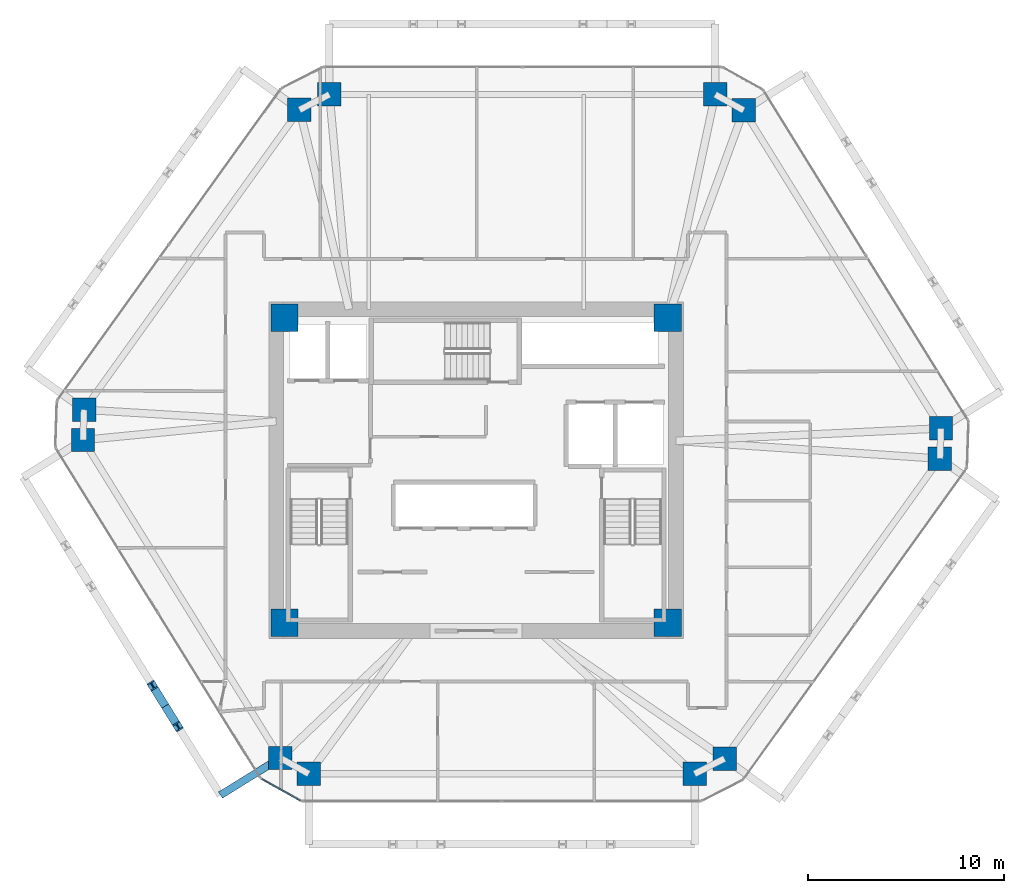
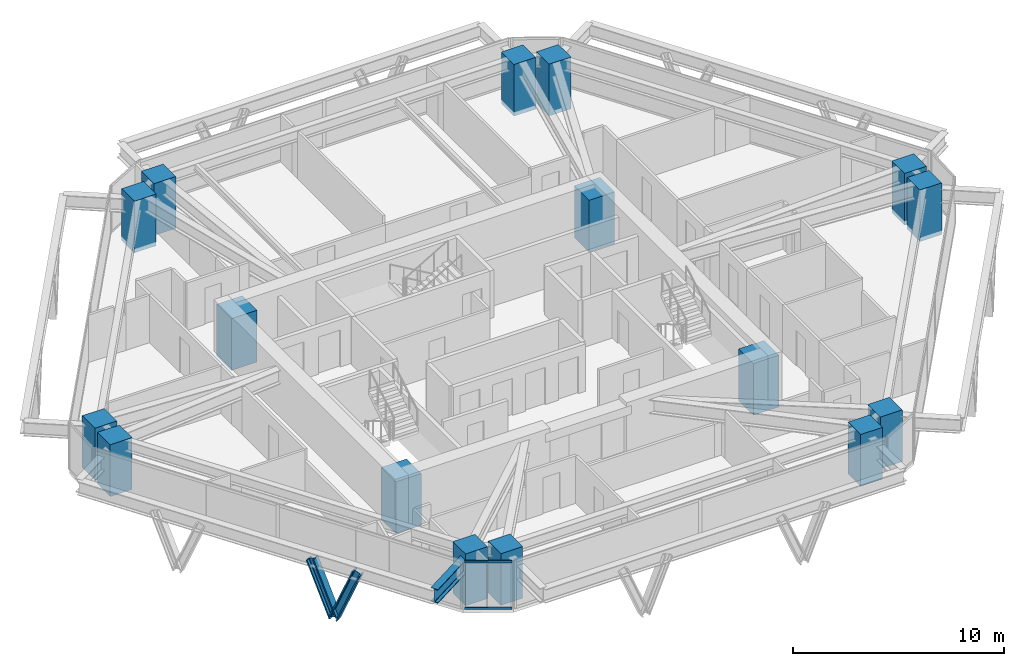
# One storey, part 1 of 14: 16 columns, 4 members, 1 beam, 1 element without a shape of its own.
"""IFC4 building model written with IfcOpenShell, lengths in metres."""

import ifcopenshell
import ifcopenshell.guid

model = None  # the IFC model being written
_history = None  # IfcOwnerHistory: only IFC2X3 demands one
_inside = {}  # id of a spatial element -> (the spatial element, [elements in it])
_under = {}  # id of a project, library or spatial element -> (it, [spatial elements below it])
_declared = {}  # id of a project -> (the project, [libraries it declares])
_typed = {}  # id of a type object -> (the type object, [elements of that type])
_made_of = {}  # id of a material, layer set ... -> (it, [elements and type objects made of it])


def new_model(schema):
    """Start an empty IFC model of exactly this schema.

    Asked for "IFC4X3", IfcOpenShell would pick the latest addendum, in which some entities
    have other attributes; the version numbers below select the first issue.
    IFC2X3 requires an IfcOwnerHistory on every rooted entity: one is made here for all.
    """
    global model, _history
    if schema == "IFC4X3":
        model = ifcopenshell.file(schema_version=(4, 3, 0, 0))
    else:
        model = ifcopenshell.file(schema=schema)
    _inside.clear()
    _under.clear()
    _declared.clear()
    _typed.clear()
    _made_of.clear()
    _history = None
    if model.schema == "IFC2X3":
        org = make("IfcOrganization", Name="unknown")
        user = make(
            "IfcPersonAndOrganization",
            ThePerson=make("IfcPerson", FamilyName="unknown"),
            TheOrganization=org,
        )
        app = make(
            "IfcApplication",
            ApplicationDeveloper=org,
            Version="unknown",
            ApplicationFullName="unknown",
            ApplicationIdentifier="unknown",
        )
        _history = make(
            "IfcOwnerHistory",
            OwningUser=user,
            OwningApplication=app,
            ChangeAction="ADDED",
            CreationDate=0,
        )
    return model


def make(cls, **values):
    """One entity of the class cls with the attributes given. An attribute that is None is left unset."""
    return model.create_entity(
        cls, **{name: value for name, value in values.items() if value is not None}
    )


def rooted(cls, **values):
    """An entity with a GlobalId (a new one), such as an element, a storey or a relation."""
    return make(cls, GlobalId=ifcopenshell.guid.new(), OwnerHistory=_history, **values)


def si_unit(unit_type, name, prefix=None):
    """IfcSIUnit, for example si_unit("LENGTHUNIT", "METRE", prefix="MILLI")."""
    return make("IfcSIUnit", UnitType=unit_type, Prefix=prefix, Name=name)


def assignment(units):
    """IfcUnitAssignment: the units of a project."""
    return None if units is None else make("IfcUnitAssignment", Units=units)


def point(xyz):
    """IfcCartesianPoint."""
    return None if xyz is None else make("IfcCartesianPoint", Coordinates=xyz)


def direction(xyz):
    """IfcDirection."""
    return None if xyz is None else make("IfcDirection", DirectionRatios=xyz)


def frame(location, z_axis=None, x_axis=None):
    """IfcAxis2Placement3D, a coordinate frame: its origin and axes. An axis left out is left unset."""
    return make(
        "IfcAxis2Placement3D",
        Location=point(location),
        Axis=direction(z_axis),
        RefDirection=direction(x_axis),
    )


def frame_2d(location, x_axis=None):
    """IfcAxis2Placement2D, a coordinate frame in the plane: its origin and x axis."""
    return make(
        "IfcAxis2Placement2D", Location=point(location), RefDirection=direction(x_axis)
    )


def origin():
    """The frame at (0, 0, 0) with its axes left unset."""
    return frame((0.0, 0.0, 0.0))


def origin_2d():
    """The frame at (0, 0) in the plane with its x axis left unset."""
    return frame_2d((0.0, 0.0))


def place(relative_to, where):
    """IfcLocalPlacement: puts the frame where relative to a parent placement (None: the world)."""
    return make(
        "IfcLocalPlacement", PlacementRelTo=relative_to, RelativePlacement=where
    )


def context(
    kind, dimensions, precision=None, world=None, true_north=None, identifier=None
):
    """IfcGeometricRepresentationContext, for example the 3D "Model" context."""
    return make(
        "IfcGeometricRepresentationContext",
        ContextIdentifier=identifier,
        ContextType=kind,
        CoordinateSpaceDimension=dimensions,
        Precision=precision,
        WorldCoordinateSystem=world,
        TrueNorth=true_north,
    )


def subcontext(parent, identifier, kind, view, scale=None):
    """IfcGeometricRepresentationSubContext, for example "Body" below "Model"."""
    return make(
        "IfcGeometricRepresentationSubContext",
        ContextIdentifier=identifier,
        ContextType=kind,
        ParentContext=parent,
        TargetScale=scale,
        TargetView=view,
    )


def project(units=None, contexts=None):
    """IfcProject with its units and contexts."""
    return rooted(
        "IfcProject",
        Name="project",
        RepresentationContexts=contexts,
        UnitsInContext=assignment(units),
    )


def spatial(cls, under=None, at=None, **own):
    """A site, building, storey or space (cls), placed at a placement, below another one or the project."""
    s = rooted(cls, ObjectPlacement=at, **own)
    if under is not None:
        _under.setdefault(under.id(), (under, []))[1].append(s)
    return s


def profile(cls, at=None, kind="AREA", **sizes):
    """A parametric profile (cls). Its sizes go by their IFC names, for example OverallWidth=200.0."""
    return make(cls, ProfileType=kind, Position=at, **sizes)


def rectangle(**sizes):
    """IfcRectangleProfileDef."""
    return profile("IfcRectangleProfileDef", **sizes)


def i_section(**sizes):
    """IfcIShapeProfileDef."""
    return profile("IfcIShapeProfileDef", **sizes)


def extrude(swept, where, along, depth):
    """IfcExtrudedAreaSolid: the profile swept, set in the frame where, extruded along a direction by depth."""
    return make(
        "IfcExtrudedAreaSolid",
        SweptArea=swept,
        Position=where,
        ExtrudedDirection=direction(along),
        Depth=depth,
    )


def shape(context_of_items, identifier, shape_type, items):
    """IfcShapeRepresentation: the items that make up one representation, for example the "Body"."""
    return make(
        "IfcShapeRepresentation",
        ContextOfItems=context_of_items,
        RepresentationIdentifier=identifier,
        RepresentationType=shape_type,
        Items=items,
    )


def source(mapping_origin, context_of_items, identifier, shape_type, items):
    """IfcRepresentationMap: a shape defined once, which mapped items show again and again."""
    return make(
        "IfcRepresentationMap",
        MappingOrigin=mapping_origin,
        MappedRepresentation=shape(context_of_items, identifier, shape_type, items),
    )


def transform(
    local_origin,
    x_axis=None,
    y_axis=None,
    z_axis=None,
    scale=None,
    scale2=None,
    scale3=None,
    uniform=True,
):
    """IfcCartesianTransformationOperator3D, or its non-uniform kind. x_axis, y_axis, z_axis: its Axis1, 2, 3."""
    if uniform:
        return make(
            "IfcCartesianTransformationOperator3D",
            Axis1=direction(x_axis),
            Axis2=direction(y_axis),
            LocalOrigin=point(local_origin),
            Scale=scale,
            Axis3=direction(z_axis),
        )
    return make(
        "IfcCartesianTransformationOperator3DnonUniform",
        Axis1=direction(x_axis),
        Axis2=direction(y_axis),
        LocalOrigin=point(local_origin),
        Scale=scale,
        Axis3=direction(z_axis),
        Scale2=scale2,
        Scale3=scale3,
    )


def mapped(mapping_source, mapping_target):
    """IfcMappedItem: shows the shape of a source again, moved by a transform."""
    return make(
        "IfcMappedItem", MappingSource=mapping_source, MappingTarget=mapping_target
    )


def material(Name=None, Category=None):
    """IfcMaterial."""
    return make("IfcMaterial", Name=Name, Category=Category)


def layer(
    of_material, thickness, ventilated=None, Name=None, Category=None, Priority=None
):
    """IfcMaterialLayer: one layer of a wall or slab, of a material (None: an air gap)."""
    return make(
        "IfcMaterialLayer",
        Material=of_material,
        LayerThickness=thickness,
        IsVentilated=ventilated,
        Name=Name,
        Category=Category,
        Priority=Priority,
    )


def layer_set(layers, Name=None):
    """IfcMaterialLayerSet."""
    return make("IfcMaterialLayerSet", MaterialLayers=layers, LayerSetName=Name)


def material_profile(
    of_material, cross_section, Name=None, Category=None, Priority=None
):
    """IfcMaterialProfile: a cross section and its material."""
    return make(
        "IfcMaterialProfile",
        Name=Name,
        Material=of_material,
        Profile=cross_section,
        Priority=Priority,
        Category=Category,
    )


def profile_set(profiles, Name=None, composite=None):
    """IfcMaterialProfileSet."""
    return make(
        "IfcMaterialProfileSet",
        Name=Name,
        MaterialProfiles=profiles,
        CompositeProfile=composite,
    )


def made_of(thing, what):
    """Note that an element or type object is made of a material, layer set ...; save() writes the relation."""
    if what is not None:
        _made_of.setdefault(what.id(), (what, []))[1].append(thing)
    return thing


def type_object(cls, material=None, **own):
    """A type object (cls), such as IfcWallType, which elements share."""
    return made_of(rooted(cls, **own), material)


def type_shapes(of_type, sources):
    """Give a type object the sources (RepresentationMaps) that its elements show as mapped items."""
    of_type.RepresentationMaps = sources


def element(
    cls,
    number,
    at=None,
    inside=None,
    cuts=None,
    type_object=None,
    material=None,
    context=None,
    identifier="Body",
    shape_type=None,
    held_by="IfcProductDefinitionShape",
    body=None,
    shapes=None,
    **own,
):
    """One element of the class cls, such as IfcWall. Its Tag is "e" and its number.

    at: its placement. inside: the storey or other place that contains it. cuts: it is an
    opening in that element (IfcRelVoidsElement). A single representation is given by context,
    identifier, shape_type and body (its items); several are given by shapes. held_by: the class
    of the entity that holds the representations. save() writes the other relations.
    """
    e = rooted(cls, Tag="e%d" % number, ObjectPlacement=at, **own)
    if body is not None:
        shapes = [shape(context, identifier, shape_type, body)]
    if shapes is not None:
        e.Representation = make(held_by, Representations=shapes)
    if inside is not None:
        _inside.setdefault(inside.id(), (inside, []))[1].append(e)
    if cuts is not None:
        rooted(
            "IfcRelVoidsElement", RelatingBuildingElement=cuts, RelatedOpeningElement=e
        )
    if type_object is not None:
        _typed.setdefault(type_object.id(), (type_object, []))[1].append(e)
    return made_of(e, material)


def aggregate(whole, parts):
    """IfcRelAggregates: a whole, such as a stair, and the parts it consists of."""
    return rooted("IfcRelAggregates", RelatingObject=whole, RelatedObjects=parts)


def save(model, path):
    """Write the relations noted so far, then the file.

    IfcRelAggregates (storeys below a building ...), IfcRelContainedInSpatialStructure (elements
    in a storey), IfcRelDefinesByType, IfcRelAssociatesMaterial and IfcRelDeclares: one each for
    every whole, place, type object, material and project.
    """
    for whole, parts in _under.values():
        aggregate(whole, parts)
    for where, things in _inside.values():
        rooted(
            "IfcRelContainedInSpatialStructure",
            RelatedElements=things,
            RelatingStructure=where,
        )
    for kind, things in _typed.values():
        rooted("IfcRelDefinesByType", RelatedObjects=things, RelatingType=kind)
    for what, things in _made_of.values():
        rooted("IfcRelAssociatesMaterial", RelatedObjects=things, RelatingMaterial=what)
    for by, libraries in _declared.values():
        rooted("IfcRelDeclares", RelatingContext=by, RelatedDefinitions=libraries)
    model.write(path)


model = new_model("IFC4")

# Units and contexts
model_context = context("Model", 3, precision=1e-05, world=origin(), true_north=direction((0.0, 1.0)))
body_context = subcontext(model_context, "Body", "Model", "MODEL_VIEW")
ifc_project = project(units=[si_unit("LENGTHUNIT", "METRE"), si_unit("AREAUNIT", "SQUARE_METRE"), si_unit("VOLUMEUNIT", "CUBIC_METRE"), si_unit("PLANEANGLEUNIT", "RADIAN"), si_unit("MASSUNIT", "GRAM", prefix="KILO")], contexts=[model_context])

# Site, building, storey
site_placement = place(None, origin())
site = spatial("IfcSite", under=ifc_project, at=site_placement, CompositionType="ELEMENT")
building_placement = place(site_placement, origin())
building = spatial("IfcBuilding", under=site, at=building_placement, Name="Durnholm Broadcast Tower", CompositionType="ELEMENT")
storey_placement = place(building_placement, frame((0.0, 0.0, 140.10009765625)))
storey = spatial("IfcBuildingStorey", under=building, at=storey_placement, Name="L38", CompositionType="ELEMENT", Elevation=140.10009765625)

# Columns
ifc_material_1 = material(Name="Concrete C70/85", Category="concrete")
ifc_material_profile_1 = material_profile(ifc_material_1, rectangle(XDim=1.39990234375, YDim=1.39990234375, at=origin_2d()), Name="RC1400X1400")
ifc_profile_set_1 = profile_set([ifc_material_profile_1], Name="Concrete C70/85")
column_type_1 = type_object("IfcColumnType", Name="COL-CC-1400", PredefinedType="COLUMN", material=ifc_profile_set_1)
shared_shape_1 = source(origin(), body_context, "Body", "SweptSolid", [
    extrude(rectangle(XDim=1.39990234375, YDim=1.39990234375, at=origin_2d()), origin(), (0.0, 0.0, 1.0), 3.0),
])
type_shapes(column_type_1, [shared_shape_1])
for number, where, z_axis, x_axis, name in (
    (1, (-9.800048828125, -7.800048828125, -0.239990234375), (0.0, 0.0, 1.0), (1.0, 0.0, 0.0), "L38 core corner column 1"),
    (2, (9.800048828125, -7.800048828125, -0.239990234375), (0.0, 0.0, 1.0), (1.0, 0.0, 0.0), "L38 core corner column 2"),
    (3, (9.800048828125, 7.800048828125, -0.239990234375), (0.0, 0.0, 1.0), (1.0, 0.0, 0.0), "L38 core corner column 3"),
    (4, (-9.800048828125, 7.800048828125, -0.239990234375), (0.0, 0.0, 1.0), (1.0, 0.0, 0.0), "L38 core corner column 4"),
):
    element("IfcColumn", number, at=place(storey_placement, frame(where, z_axis=z_axis, x_axis=x_axis)), inside=storey, type_object=column_type_1, Name=name, PredefinedType="COLUMN", context=body_context, shape_type="MappedRepresentation", body=[
        mapped(shared_shape_1, transform((0.0, 0.0, 0.0), x_axis=(1.0, 0.0, 0.0), y_axis=(0.0, 1.0, 0.0), z_axis=(0.0, 0.0, 1.0), scale=1.0)),
    ])
ifc_material_profile_2 = material_profile(ifc_material_1, rectangle(XDim=1.199951171875, YDim=1.199951171875, at=origin_2d()), Name="RC1200X1200")
ifc_profile_set_2 = profile_set([ifc_material_profile_2], Name="Concrete C70/85")
column_type_2 = type_object("IfcColumnType", Name="COL-CC-1200", PredefinedType="COLUMN", material=ifc_profile_set_2)
shared_shape_2 = source(origin(), body_context, "Body", "SweptSolid", [
    extrude(rectangle(XDim=1.199951171875, YDim=1.199951171875, at=origin_2d()), origin(), (0.0, 0.0, 1.0), 3.0),
])
type_shapes(column_type_2, [shared_shape_2])
for number, where, z_axis, x_axis, name in (
    (5, (-10.01416015625, -14.723388671875, -0.239990234375), (0.0, 0.0, 1.0), (1.0, 0.0, 0.0), "L38 perimeter hexagonal tube column 01"),
    (6, (-20.102783203125, 1.54150390625, -0.239990234375), (0.0, 0.0, 1.0), (1.0, 0.0, 0.0), "L38 perimeter hexagonal tube column 02"),
    (7, (-20.050048828125, 3.091064453125, -0.239990234375), (0.0, 0.0, 1.0), (1.0, 0.0, 0.0), "L38 perimeter hexagonal tube column 03"),
    (8, (-9.031982421875, 18.42822265625, -0.239990234375), (0.0, 0.0, 1.0), (1.0, 0.0, 0.0), "L38 perimeter hexagonal tube column 04"),
    (9, (-7.498046875, 19.215087890625, -0.239990234375), (0.0, 0.0, 1.0), (1.0, 0.0, 0.0), "L38 perimeter hexagonal tube column 05"),
    (10, (12.22998046875, 19.215087890625, -0.239990234375), (0.0, 0.0, 1.0), (1.0, 0.0, 0.0), "L38 perimeter hexagonal tube column 06"),
    (11, (13.692138671875, 18.4013671875, -0.239990234375), (0.0, 0.0, 1.0), (1.0, 0.0, 0.0), "L38 perimeter hexagonal tube column 07"),
    (12, (23.78076171875, 2.13671875, -0.239990234375), (0.0, 0.0, 1.0), (1.0, 0.0, 0.0), "L38 perimeter hexagonal tube column 08"),
    (13, (23.72802734375, 0.5869140625, -0.239990234375), (0.0, 0.0, 1.0), (1.0, 0.0, 0.0), "L38 perimeter hexagonal tube column 09"),
    (14, (12.7099609375, -14.750244140625, -0.239990234375), (0.0, 0.0, 1.0), (1.0, 0.0, 0.0), "L38 perimeter hexagonal tube column 10"),
    (15, (11.176025390625, -15.537109375, -0.239990234375), (0.0, 0.0, 1.0), (1.0, 0.0, 0.0), "L38 perimeter hexagonal tube column 11"),
    (16, (-8.552001953125, -15.537109375, -0.239990234375), (0.0, 0.0, 1.0), (1.0, 0.0, 0.0), "L38 perimeter hexagonal tube column 12"),
):
    element("IfcColumn", number, at=place(storey_placement, frame(where, z_axis=z_axis, x_axis=x_axis)), inside=storey, type_object=column_type_2, Name=name, PredefinedType="COLUMN", context=body_context, shape_type="MappedRepresentation", body=[
        mapped(shared_shape_2, transform((0.0, 0.0, 0.0), x_axis=(1.0, 0.0, 0.0), y_axis=(0.0, 1.0, 0.0), z_axis=(0.0, 0.0, 1.0), scale=1.0)),
    ])

# Beam
ifc_material_2 = material(Name="Steel ASTM A992 Grade 50", Category="steel")
ifc_material_profile_3 = material_profile(ifc_material_2, i_section(OverallWidth=0.385009765625, OverallDepth=0.802978515625, WebThickness=0.023681640625, FlangeThickness=0.0419921875, FilletRadius=0.032958984375, at=origin_2d()), Name="W30X261")
ifc_profile_set_3 = profile_set([ifc_material_profile_3], Name="Steel ASTM A992 Grade 50")
beam_type = type_object("IfcBeamType", Name="BM-EXO-TIE", PredefinedType="USERDEFINED", material=ifc_profile_set_3)
shared_shape_3 = source(origin(), body_context, "Body", "SweptSolid", [
    extrude(i_section(OverallWidth=0.385009765625, OverallDepth=0.802978515625, WebThickness=0.023681640625, FlangeThickness=0.0419921875, FilletRadius=0.032958984375, at=origin_2d()), origin(), (0.0, 0.0, 1.0), 3.455810546875),
])
type_shapes(beam_type, [shared_shape_3])
beam_placement = place(storey_placement, frame((-10.13671875, -14.79931640625, 2.008544921875), z_axis=(-0.849807128357, -0.527093772107, 0.0), x_axis=(0.527093772107, -0.849807128357, 0.0)))
element("IfcBeam", 17, at=beam_placement, inside=storey, type_object=beam_type, Name="L38 exoskeleton stand-off tie bracket F6.2", ObjectType="GIRDER", PredefinedType="USERDEFINED", context=body_context, shape_type="MappedRepresentation", body=[
    mapped(shared_shape_3, transform((0.0, 0.0, 0.0), x_axis=(1.0, 0.0, 0.0), y_axis=(0.0, 1.0, 0.0), z_axis=(0.0, 0.0, 1.0), scale=1.0)),
])

# Members
ifc_material_3 = material(Name="Steel ASTM A913 Grade 65", Category="steel")
ifc_material_profile_4 = material_profile(ifc_material_3, i_section(OverallWidth=0.41845703125, OverallDepth=0.455078125, WebThickness=0.0419921875, FlangeThickness=0.067626953125, FilletRadius=0.030517578125, at=origin_2d()), Name="W14X370")
ifc_profile_set_4 = profile_set([ifc_material_profile_4], Name="Steel ASTM A913 Grade 65")
member_type_1 = type_object("IfcMemberType", Name="STL-DG-W14X370", PredefinedType="BRACE", material=ifc_profile_set_4)
shared_shape_4 = source(origin(), body_context, "Body", "SweptSolid", [
    extrude(i_section(OverallWidth=0.41845703125, OverallDepth=0.455078125, WebThickness=0.0419921875, FlangeThickness=0.067626953125, FilletRadius=0.030517578125, at=origin_2d()), origin(), (0.0, 0.0, 1.0), 3.243896484375),
])
member_1_placement = place(storey_placement, frame((-15.898193359375, -12.066650390625, -0.991455078125), z_axis=(0.200499851569, -0.323253326761, 0.924828144175), x_axis=(0.849805205368, 0.527096872433, 0.0)))
element("IfcMember", 18, at=member_1_placement, inside=storey, type_object=member_type_1, Name="L38 stand-off diagrid brace F6.D2.2", PredefinedType="BRACE", context=body_context, shape_type="MappedRepresentation", body=[
    mapped(shared_shape_4, transform((0.0, 0.0, 0.0), x_axis=(1.0, 0.0, 0.0), y_axis=(0.0, 1.0, 0.0), z_axis=(0.0, 0.0, 1.0), scale=1.0)),
])
shared_shape_5 = source(origin(), body_context, "Body", "SweptSolid", [
    extrude(i_section(OverallWidth=0.41845703125, OverallDepth=0.455078125, WebThickness=0.0419921875, FlangeThickness=0.067626953125, FilletRadius=0.030517578125, at=origin_2d()), origin(), (0.0, 0.0, 1.0), 3.24365234375),
])
type_shapes(member_type_1, [shared_shape_4, shared_shape_5])
member_2_placement = place(storey_placement, frame((-15.898193359375, -12.066650390625, -0.991455078125), z_axis=(-0.200504729124, 0.323185925998, 0.924850642447), x_axis=(-0.849750220063, -0.527185511469, 0.0)))
element("IfcMember", 19, at=member_2_placement, inside=storey, type_object=member_type_1, Name="L38 stand-off diagrid brace F6.D2.1", PredefinedType="BRACE", context=body_context, shape_type="MappedRepresentation", body=[
    mapped(shared_shape_5, transform((0.0, 0.0, 0.0), x_axis=(1.0, 0.0, 0.0), y_axis=(0.0, 1.0, 0.0), z_axis=(0.0, 0.0, 1.0), scale=1.0)),
])

# Curtain wall, members
ifc_material_4 = material(Name="Aluminium and Solar Control IGU", Category="aluminium")
ifc_layer = layer(ifc_material_4, 0.1650390625)
ifc_layer_set = layer_set([ifc_layer], Name="Aluminium and Solar Control IGU")
curtain_wall_type = type_object("IfcCurtainWallType", Name="CW-SYS-5", PredefinedType="NOTDEFINED", material=ifc_layer_set)
curtain_wall_placement = place(storey_placement, origin())
curtain_wall = element("IfcCurtainWall", 20, at=curtain_wall_placement, inside=storey, type_object=curtain_wall_type, Name="L38 curtain wall CW-CORNER CW-L38-CRN-11", PredefinedType="NOTDEFINED")
ifc_material_5 = material(Name="Aluminium 6063-T6", Category="aluminium")
ifc_material_profile_5 = material_profile(ifc_material_5, rectangle(XDim=0.06494140625, YDim=0.1298828125, at=origin_2d()), Name="CWT65X130")
ifc_profile_set_5 = profile_set([ifc_material_profile_5], Name="Aluminium 6063-T6")
member_type_2 = type_object("IfcMemberType", Name="CW-SYS-5-TRN", PredefinedType="USERDEFINED", material=ifc_profile_set_5)
shared_shape_6 = source(origin(), body_context, "Body", "SweptSolid", [
    extrude(rectangle(XDim=0.06494140625, YDim=0.1298828125, at=origin_2d()), origin(), (0.0, 0.0, 1.0), 2.27001953125),
])
type_shapes(member_type_2, [shared_shape_6])
member_3_placement = place(storey_placement, frame((-8.971923828125, -16.9052734375, 0.032470703125), z_axis=(-0.873832405737, 0.486227237703, 0.0), x_axis=(-0.486227237703, -0.873832405737, 0.0)))
member_3 = element("IfcMember", 21, at=member_3_placement, type_object=member_type_2, Name="CW-CORNER transom 1.1", ObjectType="TRANSOM", PredefinedType="USERDEFINED", context=body_context, shape_type="MappedRepresentation", body=[
    mapped(shared_shape_6, transform((0.0, 0.0, 0.0), x_axis=(1.0, 0.0, 0.0), y_axis=(0.0, 1.0, 0.0), z_axis=(0.0, 0.0, 1.0), scale=1.0)),
])
member_4_placement = place(storey_placement, frame((-8.971923828125, -16.9052734375, 2.727294921875), z_axis=(-0.873832405737, 0.486227237703, 0.0), x_axis=(-0.486227237703, -0.873832405737, 0.0)))
member_4 = element("IfcMember", 22, at=member_4_placement, type_object=member_type_2, Name="CW-CORNER transom 1.2", ObjectType="TRANSOM", PredefinedType="USERDEFINED", context=body_context, shape_type="MappedRepresentation", body=[
    mapped(shared_shape_6, transform((0.0, 0.0, 0.0), x_axis=(1.0, 0.0, 0.0), y_axis=(0.0, 1.0, 0.0), z_axis=(0.0, 0.0, 1.0), scale=1.0)),
])
aggregate(curtain_wall, [member_3, member_4])

save(model, "model.ifc")
